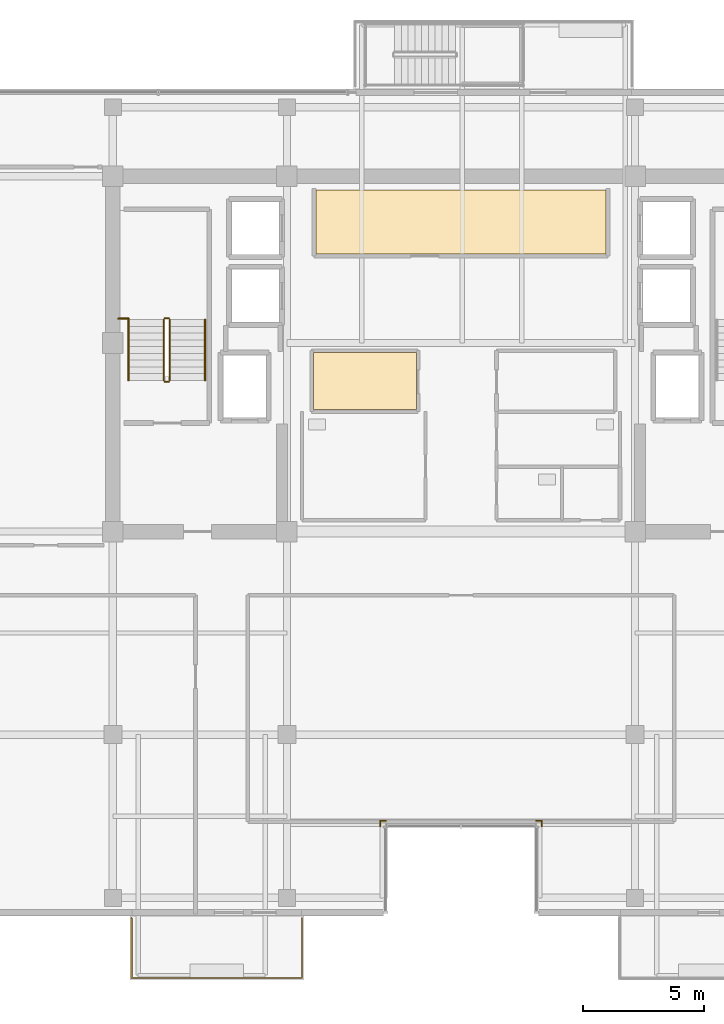
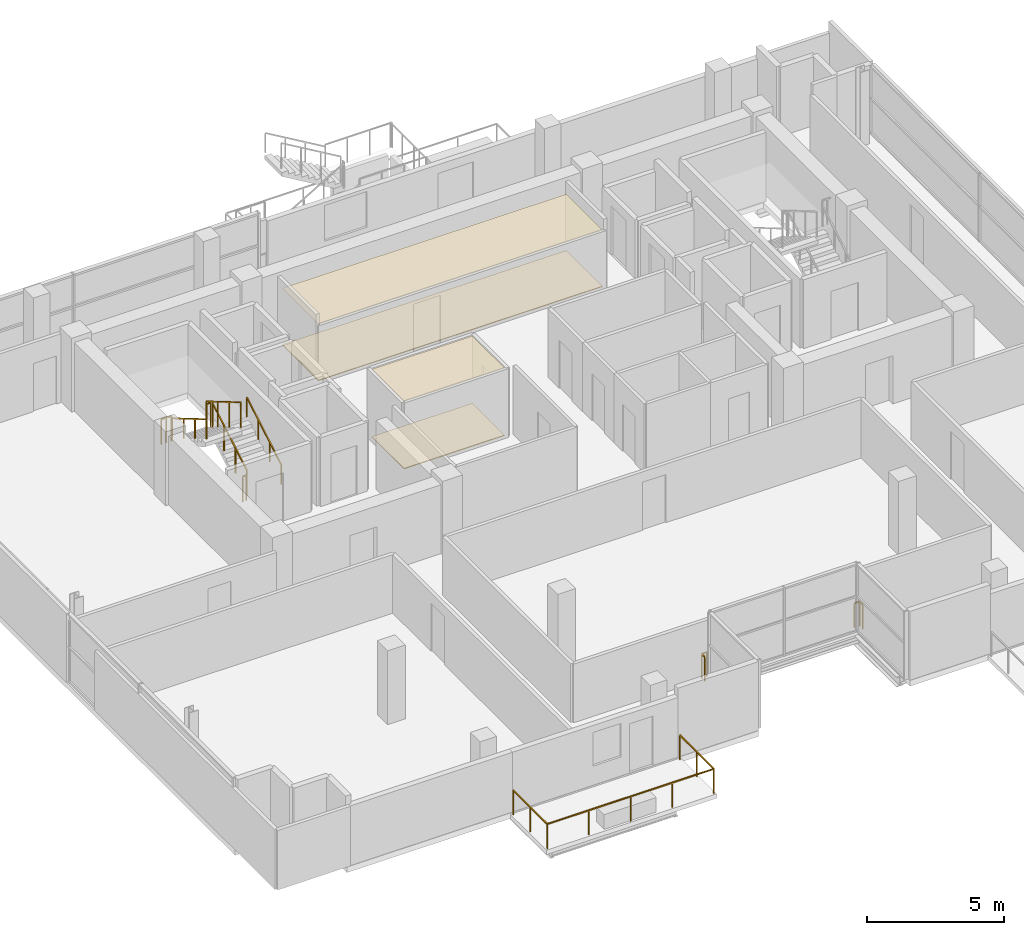
# One storey, part 21 of 24: 12 railings, 4 coverings.
"""IFC4 building model written with IfcOpenShell, lengths in metres."""

from ifc_helpers import new_model, si_unit, direction, frame, origin, origin_2d, place, context, subcontext, project, spatial, polyline, rectangle, outline, extrude, material, layer, layer_set, type_object, element, save


model = new_model("IFC4")

# Units and contexts
model_context = context("Model", 3, precision=1e-05, world=origin(), true_north=direction((0.0, 1.0)))
body_context = subcontext(model_context, "Body", "Model", "MODEL_VIEW")
ifc_project = project(units=[si_unit("LENGTHUNIT", "METRE"), si_unit("AREAUNIT", "SQUARE_METRE"), si_unit("VOLUMEUNIT", "CUBIC_METRE"), si_unit("PLANEANGLEUNIT", "RADIAN"), si_unit("MASSUNIT", "GRAM", prefix="KILO")], contexts=[model_context])

# Site, building, storey
site_placement = place(None, origin())
site = spatial("IfcSite", under=ifc_project, at=site_placement, CompositionType="ELEMENT")
building_placement = place(site_placement, origin())
building = spatial("IfcBuilding", under=site, at=building_placement, Name="Zarnakvel Exchange Tower", CompositionType="ELEMENT")
storey_placement = place(building_placement, frame((0.0, 0.0, 205.60009765625)))
storey = spatial("IfcBuildingStorey", under=building, at=storey_placement, Name="L57", CompositionType="ELEMENT", Elevation=205.60009765625)

# Coverings
ifc_material_1 = material(Name="Perforated Bronze Acoustic Metal Ceiling", Category="aluminium")
ifc_layer_1 = layer(ifc_material_1, 0.02001953125)
ifc_layer_set_1 = layer_set([ifc_layer_1], Name="Perforated Bronze Acoustic Metal Ceiling")
covering_type_1 = type_object("IfcCoveringType", Name="CLG-01", PredefinedType="CEILING", material=ifc_layer_set_1)
covering_1_placement = place(storey_placement, frame((0.0, 0.0, 2.52978515625)))
element("IfcCovering", 1, at=covering_1_placement, inside=storey, type_object=covering_type_1, Name="L57 Suspended Acoustic Ceiling (Market Data Archive Suite)", PredefinedType="CEILING", context=body_context, shape_type="SweptSolid", body=[
    extrude(outline(polyline([(-6.0, 12.919921875), (6.0, 12.919921875), (6.0, 10.280029296875), (-6.0, 10.280029296875), (-6.0, 12.919921875)])), origin(), (0.0, 0.0, 1.0), 0.02001953125),
])
covering_2_placement = place(storey_placement, frame((0.0, 0.0, 3.014892578125)))
element("IfcCovering", 2, at=covering_2_placement, inside=storey, type_object=covering_type_1, Name="L57 Suspended Acoustic Ceiling (Sovereign Compliance Office)", PredefinedType="CEILING", context=body_context, shape_type="SweptSolid", body=[
    extrude(outline(polyline([(-6.10009765625, 6.199951171875), (-1.85009765625, 6.199951171875), (-1.85009765625, 3.840087890625), (-6.10009765625, 3.840087890625), (-6.10009765625, 6.199951171875)])), origin(), (0.0, 0.0, 1.0), 0.02001953125),
])
ifc_material_2 = material(Name="Heavy-Duty Raised Access Floor Panel", Category="steel")
ifc_layer_2 = layer(ifc_material_2, 0.034912109375)
ifc_layer_set_2 = layer_set([ifc_layer_2], Name="Heavy-Duty Raised Access Floor Panel")
covering_type_2 = type_object("IfcCoveringType", Name="FLR-02", PredefinedType="FLOORING", material=ifc_layer_set_2)
covering_3_placement = place(storey_placement, origin())
element("IfcCovering", 3, at=covering_3_placement, inside=storey, type_object=covering_type_2, Name="L57 Floor Finish (Market Data Archive Suite)", PredefinedType="FLOORING", context=body_context, shape_type="SweptSolid", body=[
    extrude(outline(polyline([(-6.0, 12.919921875), (6.0, 12.919921875), (6.0, 10.280029296875), (-6.0, 10.280029296875), (-6.0, 12.919921875)])), origin(), (0.0, 0.0, 1.0), 0.034912109375),
])
covering_4_placement = place(storey_placement, origin())
element("IfcCovering", 4, at=covering_4_placement, inside=storey, type_object=covering_type_2, Name="L57 Floor Finish (Sovereign Compliance Office)", PredefinedType="FLOORING", context=body_context, shape_type="SweptSolid", body=[
    extrude(outline(polyline([(-6.10009765625, 6.199951171875), (-1.85009765625, 6.199951171875), (-1.85009765625, 3.840087890625), (-6.10009765625, 3.840087890625), (-6.10009765625, 6.199951171875)])), origin(), (0.0, 0.0, 1.0), 0.034912109375),
])

# Railings
ifc_material_3 = material(Name="Architectural Bronze Anodised Aluminium", Category="aluminium")
railing_type_1 = type_object("IfcRailingType", Name="GR-02", PredefinedType="GUARDRAIL", material=ifc_material_3)
railing_1_placement = place(storey_placement, frame((-13.6201171875, -17.179931640625, -0.06005859375)))
element("IfcRailing", 5, at=railing_1_placement, inside=storey, type_object=railing_type_1, Name="L57 Balcony Guardrail BAL-L57-SW", PredefinedType="GUARDRAIL", context=body_context, shape_type="SweptSolid", body=[
    extrude(rectangle(XDim=0.048095703125, YDim=0.048095703125, at=origin_2d()), frame((0.0, 0.0, 1.09619140625), z_axis=(0.0, -1.0, 0.0), x_axis=(1.0, 0.0, 0.0)), (0.0, 0.0, 1.0), 2.489990234375),
    extrude(rectangle(XDim=0.048095703125, YDim=0.048095703125, at=origin_2d()), frame((0.0, -2.489990234375, 1.09619140625), z_axis=(1.0, 0.0, 0.0), x_axis=(0.0, 1.0, 0.0)), (0.0, 0.0, 1.0), 7.0400390625),
    extrude(rectangle(XDim=0.048095703125, YDim=0.048095703125, at=origin_2d()), frame((7.0400390625, -2.489990234375, 1.09619140625), z_axis=(0.0, 1.0, 0.0), x_axis=(-1.0, 0.0, 0.0)), (0.0, 0.0, 1.0), 2.489990234375),
    extrude(rectangle(XDim=0.0419921875, YDim=0.0419921875, at=origin_2d()), origin(), (0.0, 0.0, 1.0), 1.072021484375),
    extrude(rectangle(XDim=0.0419921875, YDim=0.0419921875, at=origin_2d()), frame((0.0, -1.2451171875, 0.0)), (0.0, 0.0, 1.0), 1.072021484375),
    extrude(rectangle(XDim=0.0419921875, YDim=0.0419921875, at=origin_2d()), frame((0.0, -2.489990234375, 0.0)), (0.0, 0.0, 1.0), 1.072021484375),
    extrude(rectangle(XDim=0.0419921875, YDim=0.0419921875, at=origin_2d()), frame((1.760009765625, -2.489990234375, 0.0)), (0.0, 0.0, 1.0), 1.072021484375),
    extrude(rectangle(XDim=0.0419921875, YDim=0.0419921875, at=origin_2d()), frame((3.52001953125, -2.489990234375, 0.0)), (0.0, 0.0, 1.0), 1.072021484375),
    extrude(rectangle(XDim=0.0419921875, YDim=0.0419921875, at=origin_2d()), frame((5.280029296875, -2.489990234375, 0.0)), (0.0, 0.0, 1.0), 1.072021484375),
    extrude(rectangle(XDim=0.0419921875, YDim=0.0419921875, at=origin_2d()), frame((7.0400390625, -2.489990234375, 0.0)), (0.0, 0.0, 1.0), 1.072021484375),
    extrude(rectangle(XDim=0.0419921875, YDim=0.0419921875, at=origin_2d()), frame((7.0400390625, -1.2451171875, 0.0)), (0.0, 0.0, 1.0), 1.072021484375),
    extrude(rectangle(XDim=0.0419921875, YDim=0.0419921875, at=origin_2d()), frame((7.0400390625, 0.0, 0.0)), (0.0, 0.0, 1.0), 1.072021484375),
])
railing_2_placement = place(storey_placement, frame((3.340087890625, -13.3798828125, 0.0)))
element("IfcRailing", 6, at=railing_2_placement, inside=storey, type_object=railing_type_1, Name="L57 Corner Spandrel Balustrade #19", PredefinedType="GUARDRAIL", context=body_context, shape_type="SweptSolid", body=[
    extrude(rectangle(XDim=0.048095703125, YDim=0.048095703125, at=origin_2d()), frame((0.0, 0.0, 1.09619140625), z_axis=(0.0, 1.0, 0.0), x_axis=(-1.0, 0.0, 0.0)), (0.0, 0.0, 1.0), 0.219970703125),
    extrude(rectangle(XDim=0.0419921875, YDim=0.0419921875, at=origin_2d()), origin(), (0.0, 0.0, 1.0), 1.072021484375),
    extrude(rectangle(XDim=0.0419921875, YDim=0.0419921875, at=origin_2d()), frame((0.0, 0.219970703125, 0.0)), (0.0, 0.0, 1.0), 1.072021484375),
])
for number, where, name in (
    (7, (3.340087890625, -13.159912109375, 0.0), "L57 Corner Spandrel Balustrade #20"),
    (8, (-3.1201171875, -13.159912109375, 0.0), "L57 Corner Spandrel Balustrade #21"),
):
    element("IfcRailing", number, at=place(storey_placement, frame(where)), inside=storey, type_object=railing_type_1, Name=name, PredefinedType="GUARDRAIL", context=body_context, shape_type="SweptSolid", body=[
        extrude(rectangle(XDim=0.048095703125, YDim=0.048095703125, at=origin_2d()), frame((0.0, 0.0, 1.09619140625), z_axis=(-1.0, 0.0, 0.0), x_axis=(0.0, -1.0, 0.0)), (0.0, 0.0, 1.0), 0.219970703125),
        extrude(rectangle(XDim=0.0419921875, YDim=0.0419921875, at=origin_2d()), origin(), (0.0, 0.0, 1.0), 1.072021484375),
        extrude(rectangle(XDim=0.0419921875, YDim=0.0419921875, at=origin_2d()), frame((-0.219970703125, 0.0, 0.0)), (0.0, 0.0, 1.0), 1.072021484375),
    ])
railing_3_placement = place(storey_placement, frame((-3.340087890625, -13.159912109375, 0.0)))
element("IfcRailing", 9, at=railing_3_placement, inside=storey, type_object=railing_type_1, Name="L57 Corner Spandrel Balustrade #22", PredefinedType="GUARDRAIL", context=body_context, shape_type="SweptSolid", body=[
    extrude(rectangle(XDim=0.048095703125, YDim=0.048095703125, at=origin_2d()), frame((0.0, 0.0, 1.09619140625), z_axis=(0.0, -1.0, 0.0), x_axis=(1.0, 0.0, 0.0)), (0.0, 0.0, 1.0), 0.219970703125),
    extrude(rectangle(XDim=0.0419921875, YDim=0.0419921875, at=origin_2d()), origin(), (0.0, 0.0, 1.0), 1.072021484375),
    extrude(rectangle(XDim=0.0419921875, YDim=0.0419921875, at=origin_2d()), frame((0.0, -0.219970703125, 0.0)), (0.0, 0.0, 1.0), 1.072021484375),
])
ifc_material_4 = material(Name="Brushed Stainless Steel", Category="steel")
railing_type_2 = type_object("IfcRailingType", Name="HR-01", PredefinedType="HANDRAIL", material=ifc_material_4)
railing_4_placement = place(storey_placement, frame((-10.590087890625, 5.050048828125, 0.164794921875)))
element("IfcRailing", 10, at=railing_4_placement, inside=storey, type_object=railing_type_2, Name="L57 ST-01 stair handrail 1", PredefinedType="HANDRAIL", context=body_context, shape_type="SweptSolid", body=[
    extrude(rectangle(XDim=0.048095703125, YDim=0.048095703125, at=origin_2d()), frame((0.0, 0.0, 0.8759765625), z_axis=(0.0, 0.86152411907, 0.507716645641), x_axis=(-1.0, 0.0, 0.0)), (0.0, 0.0, 1.0), 2.925048828125),
    extrude(rectangle(XDim=0.0419921875, YDim=0.0419921875, at=origin_2d()), origin(), (0.0, 0.0, 1.0), 0.851806640625),
    extrude(rectangle(XDim=0.0419921875, YDim=0.0419921875, at=origin_2d()), frame((0.0, 0.840087890625, 0.4951171875)), (0.0, 0.0, 1.0), 0.851806640625),
    extrude(rectangle(XDim=0.0419921875, YDim=0.0419921875, at=origin_2d()), frame((0.0, 1.679931640625, 0.989990234375)), (0.0, 0.0, 1.0), 0.851806640625),
    extrude(rectangle(XDim=0.0419921875, YDim=0.0419921875, at=origin_2d()), frame((0.0, 2.52001953125, 1.485107421875)), (0.0, 0.0, 1.0), 0.851806640625),
])
railing_5_placement = place(storey_placement, frame((-13.75, 7.570068359375, 1.81494140625)))
element("IfcRailing", 11, at=railing_5_placement, inside=storey, type_object=railing_type_2, Name="L57 ST-01 stair handrail 2", PredefinedType="HANDRAIL", context=body_context, shape_type="SweptSolid", body=[
    extrude(rectangle(XDim=0.048095703125, YDim=0.048095703125, at=origin_2d()), frame((0.0, 0.0, 0.8759765625), z_axis=(0.0, -0.861560626758, 0.507654692109), x_axis=(1.0, 0.0, 0.0)), (0.0, 0.0, 1.0), 2.925048828125),
    extrude(rectangle(XDim=0.0419921875, YDim=0.0419921875, at=origin_2d()), origin(), (0.0, 0.0, 1.0), 0.851806640625),
    extrude(rectangle(XDim=0.0419921875, YDim=0.0419921875, at=origin_2d()), frame((0.0, -0.840087890625, 0.494873046875)), (0.0, 0.0, 1.0), 0.851806640625),
    extrude(rectangle(XDim=0.0419921875, YDim=0.0419921875, at=origin_2d()), frame((0.0, -1.679931640625, 0.989990234375)), (0.0, 0.0, 1.0), 0.851806640625),
    extrude(rectangle(XDim=0.0419921875, YDim=0.0419921875, at=origin_2d()), frame((0.0, -2.52001953125, 1.48486328125)), (0.0, 0.0, 1.0), 0.851806640625),
])
railing_type_3 = type_object("IfcRailingType", Name="SG-01", PredefinedType="GUARDRAIL", material=ifc_material_3)
railing_6_placement = place(storey_placement, frame((-12.0400390625, 5.050048828125, 0.164794921875)))
element("IfcRailing", 12, at=railing_6_placement, inside=storey, type_object=railing_type_3, Name="L57 ST-01 stair guard 1", PredefinedType="GUARDRAIL", context=body_context, shape_type="SweptSolid", body=[
    extrude(rectangle(XDim=0.048095703125, YDim=0.048095703125, at=origin_2d()), frame((0.0, 0.0, 1.1259765625), z_axis=(0.0, 0.86152411907, 0.507716645641), x_axis=(-1.0, 0.0, 0.0)), (0.0, 0.0, 1.0), 2.925048828125),
    extrude(rectangle(XDim=0.0419921875, YDim=0.0419921875, at=origin_2d()), origin(), (0.0, 0.0, 1.0), 1.101806640625),
    extrude(rectangle(XDim=0.0419921875, YDim=0.0419921875, at=origin_2d()), frame((0.0, 0.840087890625, 0.4951171875)), (0.0, 0.0, 1.0), 1.101806640625),
    extrude(rectangle(XDim=0.0419921875, YDim=0.0419921875, at=origin_2d()), frame((0.0, 1.679931640625, 0.989990234375)), (0.0, 0.0, 1.0), 1.101806640625),
    extrude(rectangle(XDim=0.0419921875, YDim=0.0419921875, at=origin_2d()), frame((0.0, 2.52001953125, 1.485107421875)), (0.0, 0.0, 1.0), 1.101806640625),
])
railing_7_placement = place(storey_placement, frame((-12.090087890625, 7.6201171875, 1.64990234375)))
element("IfcRailing", 13, at=railing_7_placement, inside=storey, type_object=railing_type_3, Name="L57 ST-01 stair guard 2", PredefinedType="GUARDRAIL", context=body_context, shape_type="SweptSolid", body=[
    extrude(rectangle(XDim=0.048095703125, YDim=0.048095703125, at=origin_2d()), frame((0.0, 0.0, 1.1259765625), z_axis=(-1.0, 0.0, 0.0), x_axis=(0.0, -1.0, 0.0)), (0.0, 0.0, 1.0), 0.159912109375),
    extrude(rectangle(XDim=0.0419921875, YDim=0.0419921875, at=origin_2d()), origin(), (0.0, 0.0, 1.0), 1.101806640625),
    extrude(rectangle(XDim=0.0419921875, YDim=0.0419921875, at=origin_2d()), frame((-0.159912109375, 0.0, 0.0)), (0.0, 0.0, 1.0), 1.101806640625),
])
railing_8_placement = place(storey_placement, frame((-12.300048828125, 7.570068359375, 1.81494140625)))
element("IfcRailing", 14, at=railing_8_placement, inside=storey, type_object=railing_type_3, Name="L57 ST-01 stair guard 3", PredefinedType="GUARDRAIL", context=body_context, shape_type="SweptSolid", body=[
    extrude(rectangle(XDim=0.048095703125, YDim=0.048095703125, at=origin_2d()), frame((0.0, 0.0, 1.1259765625), z_axis=(0.0, -0.861560626758, 0.507654692109), x_axis=(1.0, 0.0, 0.0)), (0.0, 0.0, 1.0), 2.925048828125),
    extrude(rectangle(XDim=0.0419921875, YDim=0.0419921875, at=origin_2d()), origin(), (0.0, 0.0, 1.0), 1.101806640625),
    extrude(rectangle(XDim=0.0419921875, YDim=0.0419921875, at=origin_2d()), frame((0.0, -0.840087890625, 0.494873046875)), (0.0, 0.0, 1.0), 1.101806640625),
    extrude(rectangle(XDim=0.0419921875, YDim=0.0419921875, at=origin_2d()), frame((0.0, -1.679931640625, 0.989990234375)), (0.0, 0.0, 1.0), 1.101806640625),
    extrude(rectangle(XDim=0.0419921875, YDim=0.0419921875, at=origin_2d()), frame((0.0, -2.52001953125, 1.48486328125)), (0.0, 0.0, 1.0), 1.101806640625),
])
railing_9_placement = place(storey_placement, frame((-12.090087890625, 5.0, 0.0)))
element("IfcRailing", 15, at=railing_9_placement, inside=storey, type_object=railing_type_3, Name="L57 ST-01 stair guard 4", PredefinedType="GUARDRAIL", context=body_context, shape_type="SweptSolid", body=[
    extrude(rectangle(XDim=0.048095703125, YDim=0.048095703125, at=origin_2d()), frame((0.0, 0.0, 1.1259765625), z_axis=(-1.0, 0.0, 0.0), x_axis=(0.0, -1.0, 0.0)), (0.0, 0.0, 1.0), 0.159912109375),
    extrude(rectangle(XDim=0.0419921875, YDim=0.0419921875, at=origin_2d()), origin(), (0.0, 0.0, 1.0), 1.101806640625),
    extrude(rectangle(XDim=0.0419921875, YDim=0.0419921875, at=origin_2d()), frame((-0.159912109375, 0.0, 0.0)), (0.0, 0.0, 1.0), 1.101806640625),
])
railing_10_placement = place(storey_placement, frame((-14.179931640625, 7.610107421875, 1.64990234375)))
element("IfcRailing", 16, at=railing_10_placement, inside=storey, type_object=railing_type_3, Name="L57 ST-01 Landing Slot Guardrail", PredefinedType="GUARDRAIL", context=body_context, shape_type="SweptSolid", body=[
    extrude(rectangle(XDim=0.048095703125, YDim=0.048095703125, at=origin_2d()), frame((0.0, 0.0, 1.1259765625), z_axis=(1.0, 0.0, 0.0), x_axis=(0.0, 1.0, 0.0)), (0.0, 0.0, 1.0), 0.429931640625),
    extrude(rectangle(XDim=0.0419921875, YDim=0.0419921875, at=origin_2d()), origin(), (0.0, 0.0, 1.0), 1.101806640625),
    extrude(rectangle(XDim=0.0419921875, YDim=0.0419921875, at=origin_2d()), frame((0.21484375, 0.0, 0.0)), (0.0, 0.0, 1.0), 1.101806640625),
    extrude(rectangle(XDim=0.0419921875, YDim=0.0419921875, at=origin_2d()), frame((0.429931640625, 0.0, 0.0)), (0.0, 0.0, 1.0), 1.101806640625),
])

save(model, "model.ifc")
